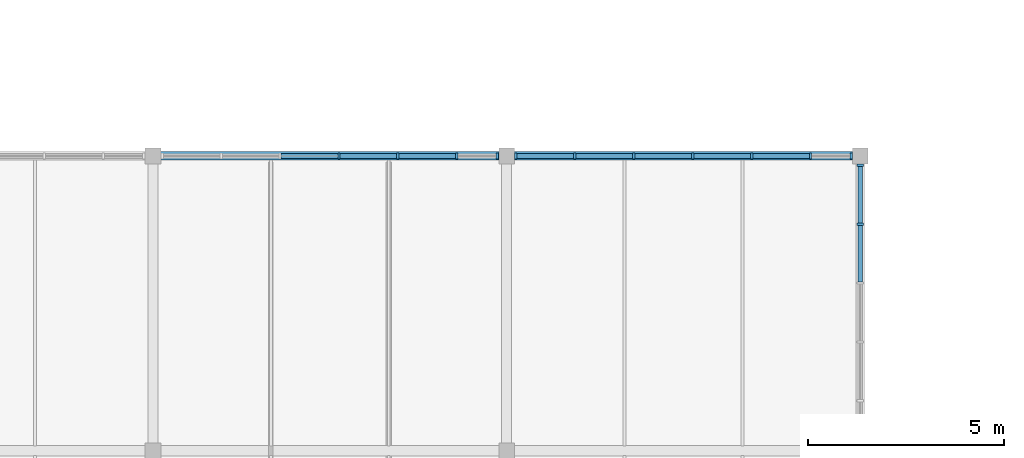
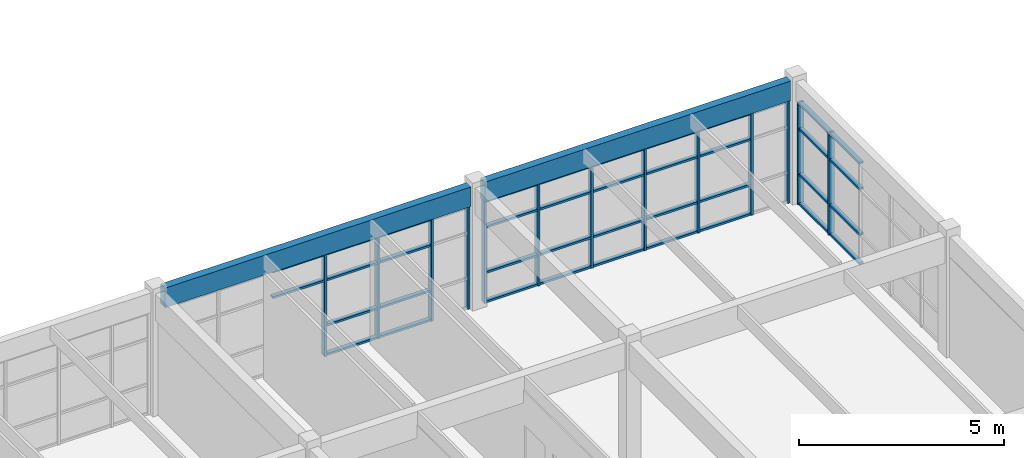
# One storey, part 36 of 81: 51 members, 2 beams, 3 elements without a shape of their own.
"""IFC4 building model written with IfcOpenShell, lengths in metres."""

from ifc_helpers import new_model, si_unit, direction, frame, origin, origin_2d, place, context, subcontext, project, spatial, rectangle, extrude, material, layer, layer_set, material_profile, profile_set, type_object, element, aggregate, save


model = new_model("IFC4")

# Units and contexts
model_context = context("Model", 3, precision=1e-05, world=origin(), true_north=direction((0.0, 1.0)))
body_context = subcontext(model_context, "Body", "Model", "MODEL_VIEW")
ifc_project = project(units=[si_unit("LENGTHUNIT", "METRE"), si_unit("AREAUNIT", "SQUARE_METRE"), si_unit("VOLUMEUNIT", "CUBIC_METRE"), si_unit("PLANEANGLEUNIT", "RADIAN"), si_unit("MASSUNIT", "GRAM", prefix="KILO")], contexts=[model_context])

# Site, building, storey
site_placement = place(None, origin())
site = spatial("IfcSite", under=ifc_project, at=site_placement, CompositionType="ELEMENT")
building_placement = place(site_placement, origin())
building = spatial("IfcBuilding", under=site, at=building_placement, Name="Marnridge Secondary College", CompositionType="ELEMENT")
storey_placement = place(building_placement, frame((0.0, 0.0, 8.5)))
storey = spatial("IfcBuildingStorey", under=building, at=storey_placement, Name="L02", CompositionType="ELEMENT", Elevation=8.5)

# Beams
ifc_material_1 = material(Name="Glulam timber GL18", Category="wood")
ifc_material_profile_1 = material_profile(ifc_material_1, rectangle(XDim=0.215087890625, YDim=0.5849609375, at=origin_2d()), Name="GL18 215x585")
ifc_profile_set_1 = profile_set([ifc_material_profile_1], Name="Glulam timber GL18")
beam_type = type_object("IfcBeamType", Name="BM-GL585-EXT", PredefinedType="SPANDREL", material=ifc_profile_set_1)
for number, where, z_axis, x_axis, name in (
    (1, (72.194091796875, 82.5, 3.347412109375), (1.0, 0.0, 0.0), (0.0, 1.0, 0.0), "Beam BS-L02-0810"),
    (2, (81.194091796875, 82.5, 3.347412109375), (1.0, 0.0, 0.0), (0.0, 1.0, 0.0), "Beam BS-L02-0812"),
):
    element("IfcBeam", number, at=place(storey_placement, frame(where, z_axis=z_axis, x_axis=x_axis)), inside=storey, type_object=beam_type, Name=name, PredefinedType="SPANDREL", context=body_context, shape_type="SweptSolid", body=[
        extrude(rectangle(XDim=0.215087890625, YDim=0.5849609375, at=origin_2d()), origin(), (0.0, 0.0, 1.0), 8.61181640625),
    ])

# Curtain wall, members
ifc_material_2 = material(Name="Thermally broken aluminium and low-E glazing", Category="aluminium")
ifc_layer = layer(ifc_material_2, 0.159912109375)
ifc_layer_set = layer_set([ifc_layer], Name="CW-MOD-1500")
curtain_wall_type = type_object("IfcCurtainWallType", Name="CW-MOD-1500", PredefinedType="NOTDEFINED", material=ifc_layer_set)
curtain_wall_1_placement = place(storey_placement, origin())
curtain_wall_1 = element("IfcCurtainWall", 3, at=curtain_wall_1_placement, inside=storey, type_object=curtain_wall_type, Name="Unitised curtain wall CW-L02-075", PredefinedType="NOTDEFINED")
ifc_material_3 = material(Name="Anodised aluminium 6063-T6", Category="aluminium")
ifc_material_profile_2 = material_profile(ifc_material_3, rectangle(XDim=0.06005859375, YDim=0.159912109375, at=origin_2d()), Name="ALU 60x160")
ifc_profile_set_2 = profile_set([ifc_material_profile_2], Name="Anodised aluminium 6063-T6")
member_type_1 = type_object("IfcMemberType", Name="CWM-ALU160", PredefinedType="MULLION", material=ifc_profile_set_2)
member_1_placement = place(storey_placement, frame((76.73388671875, 82.5, 0.0), z_axis=(0.0, 0.0, 1.0), x_axis=(1.0, 0.0, 0.0)))
member_1 = element("IfcMember", 4, at=member_1_placement, type_object=member_type_1, Name="CW-L02-075 mullion 4", PredefinedType="MULLION", context=body_context, shape_type="SweptSolid", body=[
    extrude(rectangle(XDim=0.06005859375, YDim=0.159912109375, at=origin_2d()), origin(), (0.0, 0.0, 1.0), 3.047119140625),
])
member_2_placement = place(storey_placement, frame((78.23388671875, 82.5, 0.0), z_axis=(0.0, 0.0, 1.0), x_axis=(1.0, 0.0, 0.0)))
member_2 = element("IfcMember", 5, at=member_2_placement, type_object=member_type_1, Name="CW-L02-075 mullion 5", PredefinedType="MULLION", context=body_context, shape_type="SweptSolid", body=[
    extrude(rectangle(XDim=0.06005859375, YDim=0.159912109375, at=origin_2d()), origin(), (0.0, 0.0, 1.0), 3.047119140625),
])
member_3_placement = place(storey_placement, frame((79.73388671875, 82.5, 0.0), z_axis=(0.0, 0.0, 1.0), x_axis=(1.0, 0.0, 0.0)))
member_3 = element("IfcMember", 6, at=member_3_placement, type_object=member_type_1, Name="CW-L02-075 mullion 6", PredefinedType="MULLION", context=body_context, shape_type="SweptSolid", body=[
    extrude(rectangle(XDim=0.06005859375, YDim=0.159912109375, at=origin_2d()), origin(), (0.0, 0.0, 1.0), 3.047119140625),
])
member_4_placement = place(storey_placement, frame((80.76611328125, 82.5, 0.0), z_axis=(0.0, 0.0, 1.0), x_axis=(1.0, 0.0, 0.0)))
member_4 = element("IfcMember", 7, at=member_4_placement, type_object=member_type_1, Name="CW-L02-075 mullion 7", PredefinedType="MULLION", context=body_context, shape_type="SweptSolid", body=[
    extrude(rectangle(XDim=0.06005859375, YDim=0.159912109375, at=origin_2d()), origin(), (0.0, 0.0, 1.0), 3.047119140625),
])

curtain_wall_2_placement = place(storey_placement, origin())
curtain_wall_2 = element("IfcCurtainWall", 8, at=curtain_wall_2_placement, inside=storey, type_object=curtain_wall_type, Name="Unitised curtain wall CW-L02-076", PredefinedType="NOTDEFINED")
member_5_placement = place(storey_placement, frame((81.23388671875, 82.5, 0.0), z_axis=(0.0, 0.0, 1.0), x_axis=(1.0, 0.0, 0.0)))
member_5 = element("IfcMember", 9, at=member_5_placement, type_object=member_type_1, Name="CW-L02-076 mullion 1", PredefinedType="MULLION", context=body_context, shape_type="SweptSolid", body=[
    extrude(rectangle(XDim=0.06005859375, YDim=0.159912109375, at=origin_2d()), origin(), (0.0, 0.0, 1.0), 3.047119140625),
])
member_6_placement = place(storey_placement, frame((82.73388671875, 82.5, 0.0), z_axis=(0.0, 0.0, 1.0), x_axis=(1.0, 0.0, 0.0)))
member_6 = element("IfcMember", 10, at=member_6_placement, type_object=member_type_1, Name="CW-L02-076 mullion 2", PredefinedType="MULLION", context=body_context, shape_type="SweptSolid", body=[
    extrude(rectangle(XDim=0.06005859375, YDim=0.159912109375, at=origin_2d()), origin(), (0.0, 0.0, 1.0), 3.047119140625),
])
member_7_placement = place(storey_placement, frame((84.23388671875, 82.5, 0.0), z_axis=(0.0, 0.0, 1.0), x_axis=(1.0, 0.0, 0.0)))
member_7 = element("IfcMember", 11, at=member_7_placement, type_object=member_type_1, Name="CW-L02-076 mullion 3", PredefinedType="MULLION", context=body_context, shape_type="SweptSolid", body=[
    extrude(rectangle(XDim=0.06005859375, YDim=0.159912109375, at=origin_2d()), origin(), (0.0, 0.0, 1.0), 3.047119140625),
])
member_8_placement = place(storey_placement, frame((85.73388671875, 82.5, 0.0), z_axis=(0.0, 0.0, 1.0), x_axis=(1.0, 0.0, 0.0)))
member_8 = element("IfcMember", 12, at=member_8_placement, type_object=member_type_1, Name="CW-L02-076 mullion 4", PredefinedType="MULLION", context=body_context, shape_type="SweptSolid", body=[
    extrude(rectangle(XDim=0.06005859375, YDim=0.159912109375, at=origin_2d()), origin(), (0.0, 0.0, 1.0), 3.047119140625),
])
member_9_placement = place(storey_placement, frame((87.23388671875, 82.5, 0.0), z_axis=(0.0, 0.0, 1.0), x_axis=(1.0, 0.0, 0.0)))
member_9 = element("IfcMember", 13, at=member_9_placement, type_object=member_type_1, Name="CW-L02-076 mullion 5", PredefinedType="MULLION", context=body_context, shape_type="SweptSolid", body=[
    extrude(rectangle(XDim=0.06005859375, YDim=0.159912109375, at=origin_2d()), origin(), (0.0, 0.0, 1.0), 3.047119140625),
])
member_10_placement = place(storey_placement, frame((88.73388671875, 82.5, 0.0), z_axis=(0.0, 0.0, 1.0), x_axis=(1.0, 0.0, 0.0)))
member_10 = element("IfcMember", 14, at=member_10_placement, type_object=member_type_1, Name="CW-L02-076 mullion 6", PredefinedType="MULLION", context=body_context, shape_type="SweptSolid", body=[
    extrude(rectangle(XDim=0.06005859375, YDim=0.159912109375, at=origin_2d()), origin(), (0.0, 0.0, 1.0), 3.047119140625),
])
member_11_placement = place(storey_placement, frame((89.76611328125, 82.5, 0.0), z_axis=(0.0, 0.0, 1.0), x_axis=(1.0, 0.0, 0.0)))
member_11 = element("IfcMember", 15, at=member_11_placement, type_object=member_type_1, Name="CW-L02-076 mullion 7", PredefinedType="MULLION", context=body_context, shape_type="SweptSolid", body=[
    extrude(rectangle(XDim=0.06005859375, YDim=0.159912109375, at=origin_2d()), origin(), (0.0, 0.0, 1.0), 3.047119140625),
])

curtain_wall_3_placement = place(storey_placement, origin())
curtain_wall_3 = element("IfcCurtainWall", 16, at=curtain_wall_3_placement, inside=storey, type_object=curtain_wall_type, Name="Unitised curtain wall CW-L02-077", PredefinedType="NOTDEFINED")
member_12_placement = place(storey_placement, frame((90.0, 82.26611328125, 0.0), z_axis=(0.0, 0.0, 1.0), x_axis=(0.0, -1.0, 0.0)))
member_12 = element("IfcMember", 17, at=member_12_placement, type_object=member_type_1, Name="CW-L02-077 mullion 1", PredefinedType="MULLION", context=body_context, shape_type="SweptSolid", body=[
    extrude(rectangle(XDim=0.06005859375, YDim=0.159912109375, at=origin_2d()), origin(), (0.0, 0.0, 1.0), 3.047119140625),
])
member_13_placement = place(storey_placement, frame((90.0, 80.76611328125, 0.0), z_axis=(0.0, 0.0, 1.0), x_axis=(0.0, -1.0, 0.0)))
member_13 = element("IfcMember", 18, at=member_13_placement, type_object=member_type_1, Name="CW-L02-077 mullion 2", PredefinedType="MULLION", context=body_context, shape_type="SweptSolid", body=[
    extrude(rectangle(XDim=0.06005859375, YDim=0.159912109375, at=origin_2d()), origin(), (0.0, 0.0, 1.0), 3.047119140625),
])

# Member
ifc_material_4 = material(Name="Anodised aluminium 6063-T6", Category="aluminium")
ifc_material_profile_3 = material_profile(ifc_material_4, rectangle(XDim=0.06005859375, YDim=0.1201171875, at=origin_2d()), Name="ALU 60x120")
ifc_profile_set_3 = profile_set([ifc_material_profile_3], Name="Anodised aluminium 6063-T6")
member_type_2 = type_object("IfcMemberType", Name="CWT-ALU120", PredefinedType="USERDEFINED", material=ifc_profile_set_3)
member_14_placement = place(storey_placement, frame((75.263916015625, 82.5, 2.25), z_axis=(1.0, 0.0, 0.0), x_axis=(0.0, 0.0, 1.0)))
member_14 = element("IfcMember", 19, at=member_14_placement, type_object=member_type_2, Name="CW-L02-075 transom 3.3", ObjectType="TRANSOM", PredefinedType="USERDEFINED", context=body_context, shape_type="SweptSolid", body=[
    extrude(rectangle(XDim=0.06005859375, YDim=0.1201171875, at=origin_2d()), origin(), (0.0, 0.0, 1.0), 1.440185546875),
])

member_15_placement = place(storey_placement, frame((75.263916015625, 82.5, 3.01708984375), z_axis=(1.0, 0.0, 0.0), x_axis=(0.0, 0.0, 1.0)))
member_15 = element("IfcMember", 20, at=member_15_placement, type_object=member_type_2, Name="CW-L02-075 transom 3.4", ObjectType="TRANSOM", PredefinedType="USERDEFINED", context=body_context, shape_type="SweptSolid", body=[
    extrude(rectangle(XDim=0.06005859375, YDim=0.1201171875, at=origin_2d()), origin(), (0.0, 0.0, 1.0), 1.440185546875),
])

member_16_placement = place(storey_placement, frame((76.763916015625, 82.5, 0.030029296875), z_axis=(1.0, 0.0, 0.0), x_axis=(0.0, 0.0, 1.0)))
member_16 = element("IfcMember", 21, at=member_16_placement, type_object=member_type_2, Name="CW-L02-075 transom 4.1", ObjectType="TRANSOM", PredefinedType="USERDEFINED", context=body_context, shape_type="SweptSolid", body=[
    extrude(rectangle(XDim=0.06005859375, YDim=0.1201171875, at=origin_2d()), origin(), (0.0, 0.0, 1.0), 1.440185546875),
])

member_17_placement = place(storey_placement, frame((76.763916015625, 82.5, 0.89990234375), z_axis=(1.0, 0.0, 0.0), x_axis=(0.0, 0.0, 1.0)))
member_17 = element("IfcMember", 22, at=member_17_placement, type_object=member_type_2, Name="CW-L02-075 transom 4.2", ObjectType="TRANSOM", PredefinedType="USERDEFINED", context=body_context, shape_type="SweptSolid", body=[
    extrude(rectangle(XDim=0.06005859375, YDim=0.1201171875, at=origin_2d()), origin(), (0.0, 0.0, 1.0), 1.440185546875),
])

member_18_placement = place(storey_placement, frame((76.763916015625, 82.5, 2.25), z_axis=(1.0, 0.0, 0.0), x_axis=(0.0, 0.0, 1.0)))
member_18 = element("IfcMember", 23, at=member_18_placement, type_object=member_type_2, Name="CW-L02-075 transom 4.3", ObjectType="TRANSOM", PredefinedType="USERDEFINED", context=body_context, shape_type="SweptSolid", body=[
    extrude(rectangle(XDim=0.06005859375, YDim=0.1201171875, at=origin_2d()), origin(), (0.0, 0.0, 1.0), 1.440185546875),
])

member_19_placement = place(storey_placement, frame((76.763916015625, 82.5, 3.01708984375), z_axis=(1.0, 0.0, 0.0), x_axis=(0.0, 0.0, 1.0)))
member_19 = element("IfcMember", 24, at=member_19_placement, type_object=member_type_2, Name="CW-L02-075 transom 4.4", ObjectType="TRANSOM", PredefinedType="USERDEFINED", context=body_context, shape_type="SweptSolid", body=[
    extrude(rectangle(XDim=0.06005859375, YDim=0.1201171875, at=origin_2d()), origin(), (0.0, 0.0, 1.0), 1.440185546875),
])

member_20_placement = place(storey_placement, frame((78.263916015625, 82.5, 0.030029296875), z_axis=(1.0, 0.0, 0.0), x_axis=(0.0, 0.0, 1.0)))
member_20 = element("IfcMember", 25, at=member_20_placement, type_object=member_type_2, Name="CW-L02-075 transom 5.1", ObjectType="TRANSOM", PredefinedType="USERDEFINED", context=body_context, shape_type="SweptSolid", body=[
    extrude(rectangle(XDim=0.06005859375, YDim=0.1201171875, at=origin_2d()), origin(), (0.0, 0.0, 1.0), 1.440185546875),
])

member_21_placement = place(storey_placement, frame((78.263916015625, 82.5, 0.89990234375), z_axis=(1.0, 0.0, 0.0), x_axis=(0.0, 0.0, 1.0)))
member_21 = element("IfcMember", 26, at=member_21_placement, type_object=member_type_2, Name="CW-L02-075 transom 5.2", ObjectType="TRANSOM", PredefinedType="USERDEFINED", context=body_context, shape_type="SweptSolid", body=[
    extrude(rectangle(XDim=0.06005859375, YDim=0.1201171875, at=origin_2d()), origin(), (0.0, 0.0, 1.0), 1.440185546875),
])

member_22_placement = place(storey_placement, frame((78.263916015625, 82.5, 2.25), z_axis=(1.0, 0.0, 0.0), x_axis=(0.0, 0.0, 1.0)))
member_22 = element("IfcMember", 27, at=member_22_placement, type_object=member_type_2, Name="CW-L02-075 transom 5.3", ObjectType="TRANSOM", PredefinedType="USERDEFINED", context=body_context, shape_type="SweptSolid", body=[
    extrude(rectangle(XDim=0.06005859375, YDim=0.1201171875, at=origin_2d()), origin(), (0.0, 0.0, 1.0), 1.440185546875),
])

member_23_placement = place(storey_placement, frame((78.263916015625, 82.5, 3.01708984375), z_axis=(1.0, 0.0, 0.0), x_axis=(0.0, 0.0, 1.0)))
member_23 = element("IfcMember", 28, at=member_23_placement, type_object=member_type_2, Name="CW-L02-075 transom 5.4", ObjectType="TRANSOM", PredefinedType="USERDEFINED", context=body_context, shape_type="SweptSolid", body=[
    extrude(rectangle(XDim=0.06005859375, YDim=0.1201171875, at=origin_2d()), origin(), (0.0, 0.0, 1.0), 1.440185546875),
])

aggregate(curtain_wall_1, [member_1, member_2, member_3, member_4, member_14, member_15, member_16, member_17, member_18, member_19, member_20, member_21, member_22, member_23])

member_24_placement = place(storey_placement, frame((81.263916015625, 82.5, 0.030029296875), z_axis=(1.0, 0.0, 0.0), x_axis=(0.0, 0.0, 1.0)))
member_24 = element("IfcMember", 29, at=member_24_placement, type_object=member_type_2, Name="CW-L02-076 transom 1.1", ObjectType="TRANSOM", PredefinedType="USERDEFINED", context=body_context, shape_type="SweptSolid", body=[
    extrude(rectangle(XDim=0.06005859375, YDim=0.1201171875, at=origin_2d()), origin(), (0.0, 0.0, 1.0), 1.440185546875),
])

member_25_placement = place(storey_placement, frame((81.263916015625, 82.5, 0.89990234375), z_axis=(1.0, 0.0, 0.0), x_axis=(0.0, 0.0, 1.0)))
member_25 = element("IfcMember", 30, at=member_25_placement, type_object=member_type_2, Name="CW-L02-076 transom 1.2", ObjectType="TRANSOM", PredefinedType="USERDEFINED", context=body_context, shape_type="SweptSolid", body=[
    extrude(rectangle(XDim=0.06005859375, YDim=0.1201171875, at=origin_2d()), origin(), (0.0, 0.0, 1.0), 1.440185546875),
])

member_26_placement = place(storey_placement, frame((81.263916015625, 82.5, 2.25), z_axis=(1.0, 0.0, 0.0), x_axis=(0.0, 0.0, 1.0)))
member_26 = element("IfcMember", 31, at=member_26_placement, type_object=member_type_2, Name="CW-L02-076 transom 1.3", ObjectType="TRANSOM", PredefinedType="USERDEFINED", context=body_context, shape_type="SweptSolid", body=[
    extrude(rectangle(XDim=0.06005859375, YDim=0.1201171875, at=origin_2d()), origin(), (0.0, 0.0, 1.0), 1.440185546875),
])

member_27_placement = place(storey_placement, frame((81.263916015625, 82.5, 3.01708984375), z_axis=(1.0, 0.0, 0.0), x_axis=(0.0, 0.0, 1.0)))
member_27 = element("IfcMember", 32, at=member_27_placement, type_object=member_type_2, Name="CW-L02-076 transom 1.4", ObjectType="TRANSOM", PredefinedType="USERDEFINED", context=body_context, shape_type="SweptSolid", body=[
    extrude(rectangle(XDim=0.06005859375, YDim=0.1201171875, at=origin_2d()), origin(), (0.0, 0.0, 1.0), 1.440185546875),
])

member_28_placement = place(storey_placement, frame((82.763916015625, 82.5, 0.030029296875), z_axis=(1.0, 0.0, 0.0), x_axis=(0.0, 0.0, 1.0)))
member_28 = element("IfcMember", 33, at=member_28_placement, type_object=member_type_2, Name="CW-L02-076 transom 2.1", ObjectType="TRANSOM", PredefinedType="USERDEFINED", context=body_context, shape_type="SweptSolid", body=[
    extrude(rectangle(XDim=0.06005859375, YDim=0.1201171875, at=origin_2d()), origin(), (0.0, 0.0, 1.0), 1.440185546875),
])

member_29_placement = place(storey_placement, frame((82.763916015625, 82.5, 0.89990234375), z_axis=(1.0, 0.0, 0.0), x_axis=(0.0, 0.0, 1.0)))
member_29 = element("IfcMember", 34, at=member_29_placement, type_object=member_type_2, Name="CW-L02-076 transom 2.2", ObjectType="TRANSOM", PredefinedType="USERDEFINED", context=body_context, shape_type="SweptSolid", body=[
    extrude(rectangle(XDim=0.06005859375, YDim=0.1201171875, at=origin_2d()), origin(), (0.0, 0.0, 1.0), 1.440185546875),
])

member_30_placement = place(storey_placement, frame((82.763916015625, 82.5, 2.25), z_axis=(1.0, 0.0, 0.0), x_axis=(0.0, 0.0, 1.0)))
member_30 = element("IfcMember", 35, at=member_30_placement, type_object=member_type_2, Name="CW-L02-076 transom 2.3", ObjectType="TRANSOM", PredefinedType="USERDEFINED", context=body_context, shape_type="SweptSolid", body=[
    extrude(rectangle(XDim=0.06005859375, YDim=0.1201171875, at=origin_2d()), origin(), (0.0, 0.0, 1.0), 1.440185546875),
])

member_31_placement = place(storey_placement, frame((82.763916015625, 82.5, 3.01708984375), z_axis=(1.0, 0.0, 0.0), x_axis=(0.0, 0.0, 1.0)))
member_31 = element("IfcMember", 36, at=member_31_placement, type_object=member_type_2, Name="CW-L02-076 transom 2.4", ObjectType="TRANSOM", PredefinedType="USERDEFINED", context=body_context, shape_type="SweptSolid", body=[
    extrude(rectangle(XDim=0.06005859375, YDim=0.1201171875, at=origin_2d()), origin(), (0.0, 0.0, 1.0), 1.440185546875),
])

member_32_placement = place(storey_placement, frame((84.263916015625, 82.5, 0.030029296875), z_axis=(1.0, 0.0, 0.0), x_axis=(0.0, 0.0, 1.0)))
member_32 = element("IfcMember", 37, at=member_32_placement, type_object=member_type_2, Name="CW-L02-076 transom 3.1", ObjectType="TRANSOM", PredefinedType="USERDEFINED", context=body_context, shape_type="SweptSolid", body=[
    extrude(rectangle(XDim=0.06005859375, YDim=0.1201171875, at=origin_2d()), origin(), (0.0, 0.0, 1.0), 1.440185546875),
])

member_33_placement = place(storey_placement, frame((84.263916015625, 82.5, 0.89990234375), z_axis=(1.0, 0.0, 0.0), x_axis=(0.0, 0.0, 1.0)))
member_33 = element("IfcMember", 38, at=member_33_placement, type_object=member_type_2, Name="CW-L02-076 transom 3.2", ObjectType="TRANSOM", PredefinedType="USERDEFINED", context=body_context, shape_type="SweptSolid", body=[
    extrude(rectangle(XDim=0.06005859375, YDim=0.1201171875, at=origin_2d()), origin(), (0.0, 0.0, 1.0), 1.440185546875),
])

member_34_placement = place(storey_placement, frame((84.263916015625, 82.5, 2.25), z_axis=(1.0, 0.0, 0.0), x_axis=(0.0, 0.0, 1.0)))
member_34 = element("IfcMember", 39, at=member_34_placement, type_object=member_type_2, Name="CW-L02-076 transom 3.3", ObjectType="TRANSOM", PredefinedType="USERDEFINED", context=body_context, shape_type="SweptSolid", body=[
    extrude(rectangle(XDim=0.06005859375, YDim=0.1201171875, at=origin_2d()), origin(), (0.0, 0.0, 1.0), 1.440185546875),
])

member_35_placement = place(storey_placement, frame((84.263916015625, 82.5, 3.01708984375), z_axis=(1.0, 0.0, 0.0), x_axis=(0.0, 0.0, 1.0)))
member_35 = element("IfcMember", 40, at=member_35_placement, type_object=member_type_2, Name="CW-L02-076 transom 3.4", ObjectType="TRANSOM", PredefinedType="USERDEFINED", context=body_context, shape_type="SweptSolid", body=[
    extrude(rectangle(XDim=0.06005859375, YDim=0.1201171875, at=origin_2d()), origin(), (0.0, 0.0, 1.0), 1.440185546875),
])

member_36_placement = place(storey_placement, frame((85.763916015625, 82.5, 0.030029296875), z_axis=(1.0, 0.0, 0.0), x_axis=(0.0, 0.0, 1.0)))
member_36 = element("IfcMember", 41, at=member_36_placement, type_object=member_type_2, Name="CW-L02-076 transom 4.1", ObjectType="TRANSOM", PredefinedType="USERDEFINED", context=body_context, shape_type="SweptSolid", body=[
    extrude(rectangle(XDim=0.06005859375, YDim=0.1201171875, at=origin_2d()), origin(), (0.0, 0.0, 1.0), 1.440185546875),
])

member_37_placement = place(storey_placement, frame((85.763916015625, 82.5, 0.89990234375), z_axis=(1.0, 0.0, 0.0), x_axis=(0.0, 0.0, 1.0)))
member_37 = element("IfcMember", 42, at=member_37_placement, type_object=member_type_2, Name="CW-L02-076 transom 4.2", ObjectType="TRANSOM", PredefinedType="USERDEFINED", context=body_context, shape_type="SweptSolid", body=[
    extrude(rectangle(XDim=0.06005859375, YDim=0.1201171875, at=origin_2d()), origin(), (0.0, 0.0, 1.0), 1.440185546875),
])

member_38_placement = place(storey_placement, frame((85.763916015625, 82.5, 2.25), z_axis=(1.0, 0.0, 0.0), x_axis=(0.0, 0.0, 1.0)))
member_38 = element("IfcMember", 43, at=member_38_placement, type_object=member_type_2, Name="CW-L02-076 transom 4.3", ObjectType="TRANSOM", PredefinedType="USERDEFINED", context=body_context, shape_type="SweptSolid", body=[
    extrude(rectangle(XDim=0.06005859375, YDim=0.1201171875, at=origin_2d()), origin(), (0.0, 0.0, 1.0), 1.440185546875),
])

member_39_placement = place(storey_placement, frame((85.763916015625, 82.5, 3.01708984375), z_axis=(1.0, 0.0, 0.0), x_axis=(0.0, 0.0, 1.0)))
member_39 = element("IfcMember", 44, at=member_39_placement, type_object=member_type_2, Name="CW-L02-076 transom 4.4", ObjectType="TRANSOM", PredefinedType="USERDEFINED", context=body_context, shape_type="SweptSolid", body=[
    extrude(rectangle(XDim=0.06005859375, YDim=0.1201171875, at=origin_2d()), origin(), (0.0, 0.0, 1.0), 1.440185546875),
])

member_40_placement = place(storey_placement, frame((87.263916015625, 82.5, 0.030029296875), z_axis=(1.0, 0.0, 0.0), x_axis=(0.0, 0.0, 1.0)))
member_40 = element("IfcMember", 45, at=member_40_placement, type_object=member_type_2, Name="CW-L02-076 transom 5.1", ObjectType="TRANSOM", PredefinedType="USERDEFINED", context=body_context, shape_type="SweptSolid", body=[
    extrude(rectangle(XDim=0.06005859375, YDim=0.1201171875, at=origin_2d()), origin(), (0.0, 0.0, 1.0), 1.440185546875),
])

member_41_placement = place(storey_placement, frame((87.263916015625, 82.5, 0.89990234375), z_axis=(1.0, 0.0, 0.0), x_axis=(0.0, 0.0, 1.0)))
member_41 = element("IfcMember", 46, at=member_41_placement, type_object=member_type_2, Name="CW-L02-076 transom 5.2", ObjectType="TRANSOM", PredefinedType="USERDEFINED", context=body_context, shape_type="SweptSolid", body=[
    extrude(rectangle(XDim=0.06005859375, YDim=0.1201171875, at=origin_2d()), origin(), (0.0, 0.0, 1.0), 1.440185546875),
])

member_42_placement = place(storey_placement, frame((87.263916015625, 82.5, 2.25), z_axis=(1.0, 0.0, 0.0), x_axis=(0.0, 0.0, 1.0)))
member_42 = element("IfcMember", 47, at=member_42_placement, type_object=member_type_2, Name="CW-L02-076 transom 5.3", ObjectType="TRANSOM", PredefinedType="USERDEFINED", context=body_context, shape_type="SweptSolid", body=[
    extrude(rectangle(XDim=0.06005859375, YDim=0.1201171875, at=origin_2d()), origin(), (0.0, 0.0, 1.0), 1.440185546875),
])

member_43_placement = place(storey_placement, frame((87.263916015625, 82.5, 3.01708984375), z_axis=(1.0, 0.0, 0.0), x_axis=(0.0, 0.0, 1.0)))
member_43 = element("IfcMember", 48, at=member_43_placement, type_object=member_type_2, Name="CW-L02-076 transom 5.4", ObjectType="TRANSOM", PredefinedType="USERDEFINED", context=body_context, shape_type="SweptSolid", body=[
    extrude(rectangle(XDim=0.06005859375, YDim=0.1201171875, at=origin_2d()), origin(), (0.0, 0.0, 1.0), 1.440185546875),
])

aggregate(curtain_wall_2, [member_5, member_6, member_7, member_8, member_9, member_10, member_11, member_24, member_25, member_26, member_27, member_28, member_29, member_30, member_31, member_32, member_33, member_34, member_35, member_36, member_37, member_38, member_39, member_40, member_41, member_42, member_43])

member_44_placement = place(storey_placement, frame((90.0, 82.236083984375, 0.030029296875), z_axis=(0.0, -1.0, 0.0), x_axis=(0.0, 0.0, 1.0)))
member_44 = element("IfcMember", 49, at=member_44_placement, type_object=member_type_2, Name="CW-L02-077 transom 1.1", ObjectType="TRANSOM", PredefinedType="USERDEFINED", context=body_context, shape_type="SweptSolid", body=[
    extrude(rectangle(XDim=0.06005859375, YDim=0.1201171875, at=origin_2d()), origin(), (0.0, 0.0, 1.0), 1.440185546875),
])

member_45_placement = place(storey_placement, frame((90.0, 82.236083984375, 0.89990234375), z_axis=(0.0, -1.0, 0.0), x_axis=(0.0, 0.0, 1.0)))
member_45 = element("IfcMember", 50, at=member_45_placement, type_object=member_type_2, Name="CW-L02-077 transom 1.2", ObjectType="TRANSOM", PredefinedType="USERDEFINED", context=body_context, shape_type="SweptSolid", body=[
    extrude(rectangle(XDim=0.06005859375, YDim=0.1201171875, at=origin_2d()), origin(), (0.0, 0.0, 1.0), 1.440185546875),
])

member_46_placement = place(storey_placement, frame((90.0, 82.236083984375, 2.25), z_axis=(0.0, -1.0, 0.0), x_axis=(0.0, 0.0, 1.0)))
member_46 = element("IfcMember", 51, at=member_46_placement, type_object=member_type_2, Name="CW-L02-077 transom 1.3", ObjectType="TRANSOM", PredefinedType="USERDEFINED", context=body_context, shape_type="SweptSolid", body=[
    extrude(rectangle(XDim=0.06005859375, YDim=0.1201171875, at=origin_2d()), origin(), (0.0, 0.0, 1.0), 1.440185546875),
])

member_47_placement = place(storey_placement, frame((90.0, 82.236083984375, 3.01708984375), z_axis=(0.0, -1.0, 0.0), x_axis=(0.0, 0.0, 1.0)))
member_47 = element("IfcMember", 52, at=member_47_placement, type_object=member_type_2, Name="CW-L02-077 transom 1.4", ObjectType="TRANSOM", PredefinedType="USERDEFINED", context=body_context, shape_type="SweptSolid", body=[
    extrude(rectangle(XDim=0.06005859375, YDim=0.1201171875, at=origin_2d()), origin(), (0.0, 0.0, 1.0), 1.440185546875),
])

member_48_placement = place(storey_placement, frame((90.0, 80.736083984375, 0.030029296875), z_axis=(0.0, -1.0, 0.0), x_axis=(0.0, 0.0, 1.0)))
member_48 = element("IfcMember", 53, at=member_48_placement, type_object=member_type_2, Name="CW-L02-077 transom 2.1", ObjectType="TRANSOM", PredefinedType="USERDEFINED", context=body_context, shape_type="SweptSolid", body=[
    extrude(rectangle(XDim=0.06005859375, YDim=0.1201171875, at=origin_2d()), origin(), (0.0, 0.0, 1.0), 1.440185546875),
])

member_49_placement = place(storey_placement, frame((90.0, 80.736083984375, 0.89990234375), z_axis=(0.0, -1.0, 0.0), x_axis=(0.0, 0.0, 1.0)))
member_49 = element("IfcMember", 54, at=member_49_placement, type_object=member_type_2, Name="CW-L02-077 transom 2.2", ObjectType="TRANSOM", PredefinedType="USERDEFINED", context=body_context, shape_type="SweptSolid", body=[
    extrude(rectangle(XDim=0.06005859375, YDim=0.1201171875, at=origin_2d()), origin(), (0.0, 0.0, 1.0), 1.440185546875),
])

member_50_placement = place(storey_placement, frame((90.0, 80.736083984375, 2.25), z_axis=(0.0, -1.0, 0.0), x_axis=(0.0, 0.0, 1.0)))
member_50 = element("IfcMember", 55, at=member_50_placement, type_object=member_type_2, Name="CW-L02-077 transom 2.3", ObjectType="TRANSOM", PredefinedType="USERDEFINED", context=body_context, shape_type="SweptSolid", body=[
    extrude(rectangle(XDim=0.06005859375, YDim=0.1201171875, at=origin_2d()), origin(), (0.0, 0.0, 1.0), 1.440185546875),
])

member_51_placement = place(storey_placement, frame((90.0, 80.736083984375, 3.01708984375), z_axis=(0.0, -1.0, 0.0), x_axis=(0.0, 0.0, 1.0)))
member_51 = element("IfcMember", 56, at=member_51_placement, type_object=member_type_2, Name="CW-L02-077 transom 2.4", ObjectType="TRANSOM", PredefinedType="USERDEFINED", context=body_context, shape_type="SweptSolid", body=[
    extrude(rectangle(XDim=0.06005859375, YDim=0.1201171875, at=origin_2d()), origin(), (0.0, 0.0, 1.0), 1.440185546875),
])

aggregate(curtain_wall_3, [member_12, member_13, member_44, member_45, member_46, member_47, member_48, member_49, member_50, member_51])

save(model, "model.ifc")
